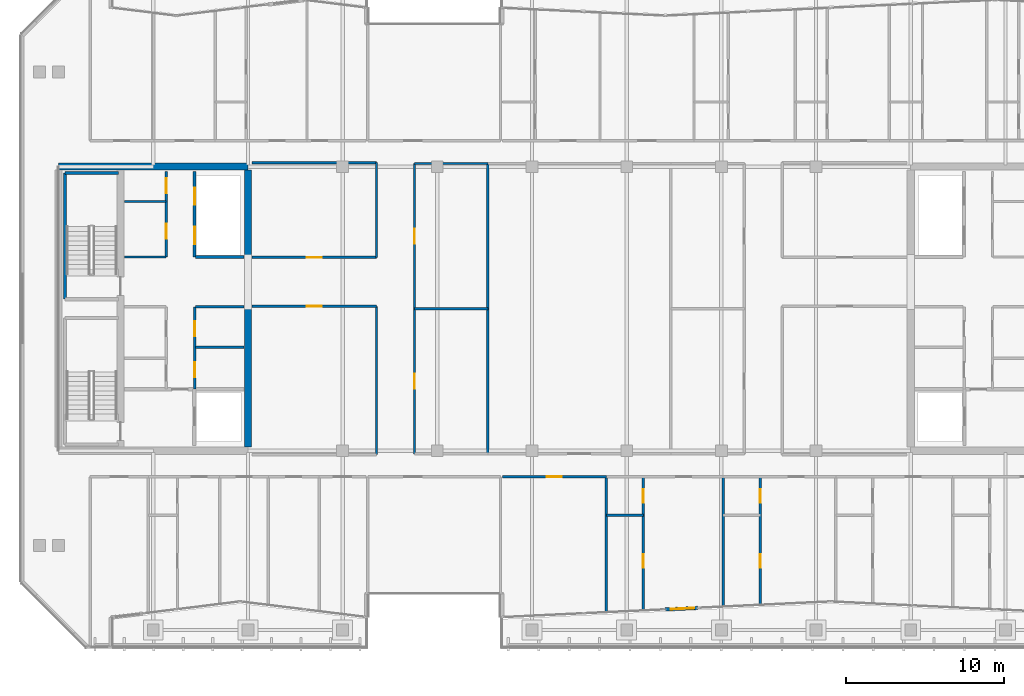
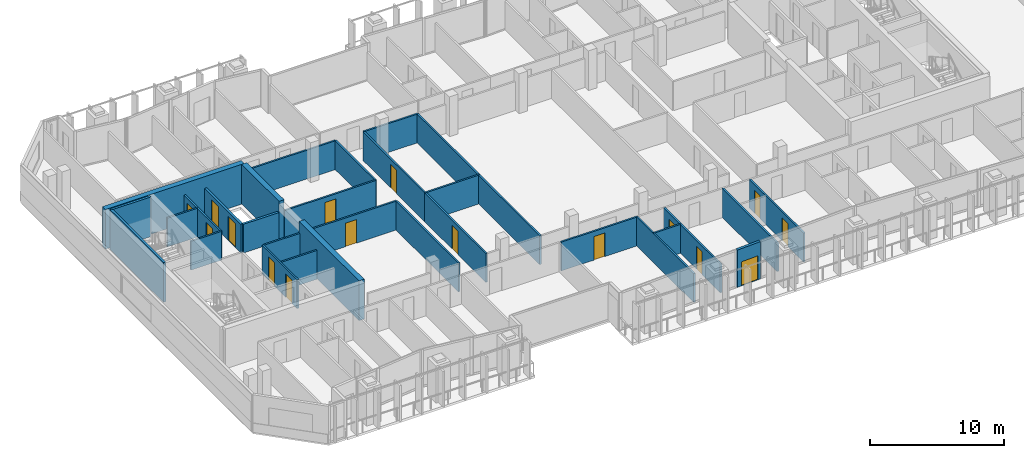
# One storey, part 21 of 31: 30 walls, 16 doors, 16 openings.
"""IFC4 building model written with IfcOpenShell, lengths in metres."""

from ifc_helpers import new_model, si_unit, direction, frame, frame_2d, origin, place, context, subcontext, project, spatial, rectangle, extrude, material, layer, layer_set, type_object, element, fill, save


model = new_model("IFC4")

# Units and contexts
model_context = context("Model", 3, precision=1e-05, world=origin(), true_north=direction((0.0, 1.0)))
body_context = subcontext(model_context, "Body", "Model", "MODEL_VIEW")
ifc_project = project(units=[si_unit("LENGTHUNIT", "METRE"), si_unit("AREAUNIT", "SQUARE_METRE"), si_unit("VOLUMEUNIT", "CUBIC_METRE"), si_unit("PLANEANGLEUNIT", "RADIAN"), si_unit("MASSUNIT", "GRAM", prefix="KILO")], contexts=[model_context])

# Site, building, storey
site_placement = place(None, origin())
site = spatial("IfcSite", under=ifc_project, at=site_placement, CompositionType="ELEMENT")
building_placement = place(site_placement, origin())
building = spatial("IfcBuilding", under=site, at=building_placement, Name="Tanjung Sevakor Pilgrim Tower", CompositionType="ELEMENT")
storey_placement = place(building_placement, frame((0.0, 0.0, 208.22998046875)))
storey = spatial("IfcBuildingStorey", under=building, at=storey_placement, Name="L58", CompositionType="ELEMENT", Elevation=208.22998046875)

# Walls
ifc_material_1 = material(Name="Concrete C60/75", Category="concrete")
ifc_layer_1 = layer(ifc_material_1, 0.449951171875)
ifc_layer_set_1 = layer_set([ifc_layer_1], Name="WALL-CW-450")
wall_type_1 = type_object("IfcWallType", Name="WALL-CW-450", PredefinedType="SHEAR", material=ifc_layer_set_1)
wall_1_placement = place(storey_placement, frame((36.0, 42.60009765625, 0.0), z_axis=(0.0, 0.0, 1.0), x_axis=(-1.0, 0.0, 0.0)))
element("IfcWall", 1, at=wall_1_placement, inside=storey, type_object=wall_type_1, Name="L58 W Core North Shear Wall", PredefinedType="SHEAR", context=body_context, shape_type="SweptSolid", body=[
    extrude(rectangle(XDim=12.0, YDim=0.449951171875, at=frame_2d((6.0, 0.0))), origin(), (0.0, 0.0, 1.0), 3.630126953125),
])
wall_2_placement = place(storey_placement, frame((36.0, 24.824951171875, 0.0), z_axis=(0.0, 0.0, 1.0), x_axis=(0.0, 1.0, 0.0)))
element("IfcWall", 2, at=wall_2_placement, inside=storey, type_object=wall_type_1, Name="L58 W Core Inner Shear Wall South", PredefinedType="SHEAR", context=body_context, shape_type="SweptSolid", body=[
    extrude(rectangle(XDim=8.97509765625, YDim=0.449951171875, at=frame_2d((4.487548828125, 0.0))), origin(), (0.0, 0.0, 1.0), 3.630126953125),
])
wall_3_placement = place(storey_placement, frame((36.0, 36.800048828125, 0.0), z_axis=(0.0, 0.0, 1.0), x_axis=(0.0, 1.0, 0.0)))
element("IfcWall", 3, at=wall_3_placement, inside=storey, type_object=wall_type_1, Name="L58 W Core Inner Shear Wall North", PredefinedType="SHEAR", context=body_context, shape_type="SweptSolid", body=[
    extrude(rectangle(XDim=5.574951171875, YDim=0.449951171875, at=frame_2d((2.78759765625, 0.0))), origin(), (0.0, 0.0, 1.0), 3.630126953125),
])
ifc_material_2 = material(Name="Concrete C40/50", Category="concrete")
ifc_layer_2 = layer(ifc_material_2, 0.14990234375)
ifc_layer_set_2 = layer_set([ifc_layer_2], Name="WT-COMP-150")
wall_type_2 = type_object("IfcWallType", Name="WT-COMP-150", PredefinedType="SOLIDWALL", material=ifc_layer_set_2)
for number, where, z_axis, x_axis, name in (
    (4, (32.679931640625, 31.14990234375, 0.0), (0.0, 0.0, 1.0), (1.0, 0.0, 0.0), "L58 Partition IW-L58-006"),
    (5, (32.679931640625, 33.719970703125, 0.0), (0.0, 0.0, 1.0), (1.0, 0.0, 0.0), "L58 Partition IW-L58-007"),
):
    element("IfcWall", number, at=place(storey_placement, frame(where, z_axis=z_axis, x_axis=x_axis)), inside=storey, type_object=wall_type_2, Name=name, PredefinedType="SOLIDWALL", context=body_context, shape_type="SweptSolid", body=[
        extrude(rectangle(XDim=3.074951171875, YDim=0.14990234375, at=frame_2d((1.53759765625, 0.0))), origin(), (0.0, 0.0, 1.0), 2.6298828125),
    ])

# Wall, openings, doors
wall_4_placement = place(storey_placement, frame((32.6201171875, 28.5, 0.0), z_axis=(0.0, 0.0, 1.0), x_axis=(0.0, 1.0, 0.0)))
wall_4 = element("IfcWall", 6, at=wall_4_placement, inside=storey, type_object=wall_type_2, Name="L58 Partition IW-L58-008", PredefinedType="SOLIDWALL", context=body_context, shape_type="SweptSolid", body=[
    extrude(rectangle(XDim=5.219970703125, YDim=0.14990234375, at=frame_2d((2.60986328125, 0.0))), origin(), (0.0, 0.0, 1.0), 2.6298828125),
])
opening_1_placement = place(wall_4_placement, frame((0.75, 0.0, 0.0)))
opening_1 = element("IfcOpeningElement", 7, at=opening_1_placement, cuts=wall_4, Name="Opening ID-FD2", PredefinedType="OPENING", context=body_context, shape_type="SweptSolid", body=[
    extrude(rectangle(XDim=0.949951171875, YDim=2.14990234375, at=frame_2d((0.47509765625, 1.074951171875))), frame((0.0, 0.0849609375, 0.0), z_axis=(0.0, -1.0, 0.0), x_axis=(1.0, 0.0, 0.0)), (0.0, 0.0, 1.0), 0.169921875),
])
opening_2_placement = place(wall_4_placement, frame((3.35009765625, 0.0, 0.0)))
opening_2 = element("IfcOpeningElement", 8, at=opening_2_placement, cuts=wall_4, Name="Opening ID-FD2", PredefinedType="OPENING", context=body_context, shape_type="SweptSolid", body=[
    extrude(rectangle(XDim=0.949951171875, YDim=2.14990234375, at=frame_2d((0.47509765625, 1.074951171875))), frame((0.0, 0.0849609375, 0.0), z_axis=(0.0, -1.0, 0.0), x_axis=(1.0, 0.0, 0.0)), (0.0, 0.0, 1.0), 0.169921875),
])
ifc_material_3 = material(Name="Fire-Rated Timber", Category="wood")
door_type_1 = type_object("IfcDoorType", Name="DT-FIRE-950", OperationType="NOTDEFINED", PredefinedType="DOOR", material=ifc_material_3)
door_1_placement = place(opening_1_placement, origin())
door_1 = element("IfcDoor", 9, at=door_1_placement, inside=storey, type_object=door_type_1, Name="L58 Accessible WC Door", OperationType="SINGLE_SWING_RIGHT", OverallHeight=2.14990234375, OverallWidth=0.949951171875, PredefinedType="DOOR", context=body_context, shape_type="SweptSolid", body=[
    extrude(rectangle(XDim=0.949951171875, YDim=2.14990234375, at=frame_2d((0.47509765625, 1.074951171875))), frame((0.0, 0.02490234375, 0.0), z_axis=(0.0, -1.0, 0.0), x_axis=(1.0, 0.0, 0.0)), (0.0, 0.0, 1.0), 0.050048828125),
])
fill(opening_1, door_1)
door_2_placement = place(opening_2_placement, origin())
door_2 = element("IfcDoor", 10, at=door_2_placement, inside=storey, type_object=door_type_1, Name="L58 Core Service Door", OperationType="SINGLE_SWING_LEFT", OverallHeight=2.14990234375, OverallWidth=0.949951171875, PredefinedType="DOOR", context=body_context, shape_type="SweptSolid", body=[
    extrude(rectangle(XDim=0.949951171875, YDim=2.14990234375, at=frame_2d((0.47509765625, 1.074951171875))), frame((0.0, 0.02490234375, 0.0), z_axis=(0.0, -1.0, 0.0), x_axis=(1.0, 0.0, 0.0)), (0.0, 0.0, 1.0), 0.050048828125),
])
fill(opening_2, door_2)

# Walls
for number, where, z_axis, x_axis, name in (
    (11, (28.169921875, 36.8798828125, 0.0), (0.0, 0.0, 1.0), (1.0, 0.0, 0.0), "L58 Partition IW-L58-009"),
    (12, (28.169921875, 40.389892578125, 0.0), (0.0, 0.0, 1.0), (1.0, 0.0, 0.0), "L58 Partition IW-L58-010"),
):
    element("IfcWall", number, at=place(storey_placement, frame(where, z_axis=z_axis, x_axis=x_axis)), inside=storey, type_object=wall_type_2, Name=name, PredefinedType="SOLIDWALL", context=body_context, shape_type="SweptSolid", body=[
        extrude(rectangle(XDim=2.630126953125, YDim=0.14990234375, at=frame_2d((1.31494140625, 0.0))), origin(), (0.0, 0.0, 1.0), 2.6298828125),
    ])

# Wall, openings, doors
wall_5_placement = place(storey_placement, frame((30.820068359375, 36.8798828125, 0.0), z_axis=(0.0, 0.0, 1.0), x_axis=(0.0, 1.0, 0.0)))
wall_5 = element("IfcWall", 13, at=wall_5_placement, inside=storey, type_object=wall_type_2, Name="L58 Partition IW-L58-011", PredefinedType="SOLIDWALL", context=body_context, shape_type="SweptSolid", body=[
    extrude(rectangle(XDim=5.420166015625, YDim=0.14990234375, at=frame_2d((2.7099609375, 0.0))), origin(), (0.0, 0.0, 1.0), 2.6298828125),
])
opening_3_placement = place(wall_5_placement, frame((1.14990234375, 0.0, 0.0)))
opening_3 = element("IfcOpeningElement", 14, at=opening_3_placement, cuts=wall_5, Name="Opening ID-FD2", PredefinedType="OPENING", context=body_context, shape_type="SweptSolid", body=[
    extrude(rectangle(XDim=0.949951171875, YDim=2.14990234375, at=frame_2d((0.47509765625, 1.074951171875))), frame((0.0, 0.0849609375, 0.0), z_axis=(0.0, -1.0, 0.0), x_axis=(1.0, 0.0, 0.0)), (0.0, 0.0, 1.0), 0.169921875),
])
opening_4_placement = place(wall_5_placement, frame((4.050048828125, 0.0, 0.0)))
opening_4 = element("IfcOpeningElement", 15, at=opening_4_placement, cuts=wall_5, Name="Opening ID-FD2", PredefinedType="OPENING", context=body_context, shape_type="SweptSolid", body=[
    extrude(rectangle(XDim=0.949951171875, YDim=2.14990234375, at=frame_2d((0.47509765625, 1.074951171875))), frame((0.0, 0.0849609375, 0.0), z_axis=(0.0, -1.0, 0.0), x_axis=(1.0, 0.0, 0.0)), (0.0, 0.0, 1.0), 0.169921875),
])
door_3_placement = place(opening_3_placement, origin())
door_3 = element("IfcDoor", 16, at=door_3_placement, inside=storey, type_object=door_type_1, Name="L58 Core Study Room Door", OperationType="SINGLE_SWING_RIGHT", OverallHeight=2.14990234375, OverallWidth=0.949951171875, PredefinedType="DOOR", context=body_context, shape_type="SweptSolid", body=[
    extrude(rectangle(XDim=0.949951171875, YDim=2.14990234375, at=frame_2d((0.47509765625, 1.074951171875))), frame((0.0, 0.02490234375, 0.0), z_axis=(0.0, -1.0, 0.0), x_axis=(1.0, 0.0, 0.0)), (0.0, 0.0, 1.0), 0.050048828125),
])
fill(opening_3, door_3)
door_4_placement = place(opening_4_placement, origin())
door_4 = element("IfcDoor", 17, at=door_4_placement, inside=storey, type_object=door_type_1, Name="L58 Service Store Door", OperationType="SINGLE_SWING_LEFT", OverallHeight=2.14990234375, OverallWidth=0.949951171875, PredefinedType="DOOR", context=body_context, shape_type="SweptSolid", body=[
    extrude(rectangle(XDim=0.949951171875, YDim=2.14990234375, at=frame_2d((0.47509765625, 1.074951171875))), frame((0.0, 0.02490234375, 0.0), z_axis=(0.0, -1.0, 0.0), x_axis=(1.0, 0.0, 0.0)), (0.0, 0.0, 1.0), 0.050048828125),
])
fill(opening_4, door_4)

# Wall, opening, door
wall_6_placement = place(storey_placement, frame((36.2451171875, 33.75, 0.0), z_axis=(0.0, 0.0, 1.0), x_axis=(1.0, 0.0, 0.0)))
wall_6 = element("IfcWall", 18, at=wall_6_placement, inside=storey, type_object=wall_type_2, Name="L58 Partition IW-L58-028", PredefinedType="SOLIDWALL", context=body_context, shape_type="SweptSolid", body=[
    extrude(rectangle(XDim=7.90478515625, YDim=0.14990234375, at=frame_2d((3.952392578125, 0.0))), origin(), (0.0, 0.0, 1.0), 2.6298828125),
])
opening_5_placement = place(wall_6_placement, frame((3.4775390625, 0.0, 0.0)))
opening_5 = element("IfcOpeningElement", 19, at=opening_5_placement, cuts=wall_6, Name="Opening ID-RM1", PredefinedType="OPENING", context=body_context, shape_type="SweptSolid", body=[
    extrude(rectangle(XDim=0.949951171875, YDim=2.14990234375, at=frame_2d((0.47509765625, 1.074951171875))), frame((0.0, 0.0849609375, 0.0), z_axis=(0.0, -1.0, 0.0), x_axis=(1.0, 0.0, 0.0)), (0.0, 0.0, 1.0), 0.169921875),
])
ifc_material_4 = material(Name="Hardwood Timber", Category="wood")
door_type_2 = type_object("IfcDoorType", Name="DT-INT-950", OperationType="NOTDEFINED", PredefinedType="DOOR", material=ifc_material_4)
door_5_placement = place(opening_5_placement, origin())
door_5 = element("IfcDoor", 20, at=door_5_placement, inside=storey, type_object=door_type_2, Name="L58 West Inboard South Door", OperationType="SINGLE_SWING_RIGHT", OverallHeight=2.14990234375, OverallWidth=0.949951171875, PredefinedType="DOOR", context=body_context, shape_type="SweptSolid", body=[
    extrude(rectangle(XDim=0.949951171875, YDim=2.14990234375, at=frame_2d((0.47509765625, 1.074951171875))), frame((0.0, 0.02490234375, 0.0), z_axis=(0.0, -1.0, 0.0), x_axis=(1.0, 0.0, 0.0)), (0.0, 0.0, 1.0), 0.050048828125),
])
fill(opening_5, door_5)

# Wall
wall_7_placement = place(storey_placement, frame((44.14990234375, 24.35009765625, 0.0), z_axis=(0.0, 0.0, 1.0), x_axis=(0.0, 1.0, 0.0)))
element("IfcWall", 21, at=wall_7_placement, inside=storey, type_object=wall_type_2, Name="L58 Partition IW-L58-029", PredefinedType="SOLIDWALL", context=body_context, shape_type="SweptSolid", body=[
    extrude(rectangle(XDim=9.39990234375, YDim=0.14990234375, at=frame_2d((4.699951171875, 0.0))), origin(), (0.0, 0.0, 1.0), 2.6298828125),
])

# Wall, opening, door
wall_8_placement = place(storey_placement, frame((36.2451171875, 36.85009765625, 0.0), z_axis=(0.0, 0.0, 1.0), x_axis=(1.0, 0.0, 0.0)))
wall_8 = element("IfcWall", 22, at=wall_8_placement, inside=storey, type_object=wall_type_2, Name="L58 Partition IW-L58-030", PredefinedType="SOLIDWALL", context=body_context, shape_type="SweptSolid", body=[
    extrude(rectangle(XDim=7.90478515625, YDim=0.14990234375, at=frame_2d((3.952392578125, 0.0))), origin(), (0.0, 0.0, 1.0), 2.6298828125),
])
opening_6_placement = place(wall_8_placement, frame((3.4775390625, 0.0, 0.0)))
opening_6 = element("IfcOpeningElement", 23, at=opening_6_placement, cuts=wall_8, Name="Opening ID-RM1", PredefinedType="OPENING", context=body_context, shape_type="SweptSolid", body=[
    extrude(rectangle(XDim=0.949951171875, YDim=2.14990234375, at=frame_2d((0.47509765625, 1.074951171875))), frame((0.0, 0.0849609375, 0.0), z_axis=(0.0, -1.0, 0.0), x_axis=(1.0, 0.0, 0.0)), (0.0, 0.0, 1.0), 0.169921875),
])
door_6_placement = place(opening_6_placement, origin())
door_6 = element("IfcDoor", 24, at=door_6_placement, inside=storey, type_object=door_type_2, Name="L58 West Inboard North Door", OperationType="SINGLE_SWING_LEFT", OverallHeight=2.14990234375, OverallWidth=0.949951171875, PredefinedType="DOOR", context=body_context, shape_type="SweptSolid", body=[
    extrude(rectangle(XDim=0.949951171875, YDim=2.14990234375, at=frame_2d((0.47509765625, 1.074951171875))), frame((0.0, 0.02490234375, 0.0), z_axis=(0.0, -1.0, 0.0), x_axis=(1.0, 0.0, 0.0)), (0.0, 0.0, 1.0), 0.050048828125),
])
fill(opening_6, door_6)

# Walls
wall_9_placement = place(storey_placement, frame((36.2451171875, 42.85009765625, 0.0), z_axis=(0.0, 0.0, 1.0), x_axis=(1.0, 0.0, 0.0)))
element("IfcWall", 25, at=wall_9_placement, inside=storey, type_object=wall_type_2, Name="L58 Partition IW-L58-031", PredefinedType="SOLIDWALL", context=body_context, shape_type="SweptSolid", body=[
    extrude(rectangle(XDim=7.90478515625, YDim=0.14990234375, at=frame_2d((3.952392578125, 0.0))), origin(), (0.0, 0.0, 1.0), 2.6298828125),
])
wall_10_placement = place(storey_placement, frame((44.14990234375, 36.85009765625, 0.0), z_axis=(0.0, 0.0, 1.0), x_axis=(0.0, 1.0, 0.0)))
element("IfcWall", 26, at=wall_10_placement, inside=storey, type_object=wall_type_2, Name="L58 Partition IW-L58-032", PredefinedType="SOLIDWALL", context=body_context, shape_type="SweptSolid", body=[
    extrude(rectangle(XDim=6.0, YDim=0.14990234375, at=frame_2d((3.0, 0.0))), origin(), (0.0, 0.0, 1.0), 2.6298828125),
])
wall_11_placement = place(storey_placement, frame((46.550048828125, 33.60009765625, 0.0), z_axis=(0.0, 0.0, 1.0), x_axis=(1.0, 0.0, 0.0)))
element("IfcWall", 27, at=wall_11_placement, inside=storey, type_object=wall_type_2, Name="L58 Partition IW-L58-040", PredefinedType="SOLIDWALL", context=body_context, shape_type="SweptSolid", body=[
    extrude(rectangle(XDim=4.64990234375, YDim=0.14990234375, at=frame_2d((2.324951171875, 0.0))), origin(), (0.0, 0.0, 1.0), 2.6298828125),
])

# Wall, opening, door
wall_12_placement = place(storey_placement, frame((46.550048828125, 24.39990234375, 0.0), z_axis=(0.0, 0.0, 1.0), x_axis=(0.0, 1.0, 0.0)))
wall_12 = element("IfcWall", 28, at=wall_12_placement, inside=storey, type_object=wall_type_2, Name="L58 Partition IW-L58-041", PredefinedType="SOLIDWALL", context=body_context, shape_type="SweptSolid", body=[
    extrude(rectangle(XDim=9.2001953125, YDim=0.14990234375, at=frame_2d((4.60009765625, 0.0))), origin(), (0.0, 0.0, 1.0), 2.6298828125),
])
opening_7_placement = place(wall_12_placement, frame((4.125, 0.0, 0.0)))
opening_7 = element("IfcOpeningElement", 29, at=opening_7_placement, cuts=wall_12, Name="Opening ID-RM1", PredefinedType="OPENING", context=body_context, shape_type="SweptSolid", body=[
    extrude(rectangle(XDim=0.949951171875, YDim=2.14990234375, at=frame_2d((0.47509765625, 1.074951171875))), frame((0.0, 0.0849609375, 0.0), z_axis=(0.0, -1.0, 0.0), x_axis=(1.0, 0.0, 0.0)), (0.0, 0.0, 1.0), 0.169921875),
])
door_7_placement = place(opening_7_placement, origin())
door_7 = element("IfcDoor", 30, at=door_7_placement, inside=storey, type_object=door_type_2, Name="L58 Male Ablution Door", OperationType="SINGLE_SWING_RIGHT", OverallHeight=2.14990234375, OverallWidth=0.949951171875, PredefinedType="DOOR", context=body_context, shape_type="SweptSolid", body=[
    extrude(rectangle(XDim=0.949951171875, YDim=2.14990234375, at=frame_2d((0.47509765625, 1.074951171875))), frame((0.0, 0.02490234375, 0.0), z_axis=(0.0, -1.0, 0.0), x_axis=(1.0, 0.0, 0.0)), (0.0, 0.0, 1.0), 0.050048828125),
])
fill(opening_7, door_7)

# Wall
wall_13_placement = place(storey_placement, frame((46.550048828125, 42.800048828125, 0.0), z_axis=(0.0, 0.0, 1.0), x_axis=(1.0, 0.0, 0.0)))
element("IfcWall", 31, at=wall_13_placement, inside=storey, type_object=wall_type_2, Name="L58 Partition IW-L58-042", PredefinedType="SOLIDWALL", context=body_context, shape_type="SweptSolid", body=[
    extrude(rectangle(XDim=4.64990234375, YDim=0.14990234375, at=frame_2d((2.324951171875, 0.0))), origin(), (0.0, 0.0, 1.0), 2.6298828125),
])

# Wall, opening, door
wall_14_placement = place(storey_placement, frame((46.550048828125, 33.60009765625, 0.0), z_axis=(0.0, 0.0, 1.0), x_axis=(0.0, 1.0, 0.0)))
wall_14 = element("IfcWall", 32, at=wall_14_placement, inside=storey, type_object=wall_type_2, Name="L58 Partition IW-L58-043", PredefinedType="SOLIDWALL", context=body_context, shape_type="SweptSolid", body=[
    extrude(rectangle(XDim=9.199951171875, YDim=0.14990234375, at=frame_2d((4.60009765625, 0.0))), origin(), (0.0, 0.0, 1.0), 2.6298828125),
])
opening_8_placement = place(wall_14_placement, frame((4.125, 0.0, 0.0)))
opening_8 = element("IfcOpeningElement", 33, at=opening_8_placement, cuts=wall_14, Name="Opening ID-RM1", PredefinedType="OPENING", context=body_context, shape_type="SweptSolid", body=[
    extrude(rectangle(XDim=0.949951171875, YDim=2.14990234375, at=frame_2d((0.47509765625, 1.074951171875))), frame((0.0, 0.0849609375, 0.0), z_axis=(0.0, -1.0, 0.0), x_axis=(1.0, 0.0, 0.0)), (0.0, 0.0, 1.0), 0.169921875),
])
door_8_placement = place(opening_8_placement, origin())
door_8 = element("IfcDoor", 34, at=door_8_placement, inside=storey, type_object=door_type_2, Name="L58 Male Washroom Door", OperationType="SINGLE_SWING_LEFT", OverallHeight=2.14990234375, OverallWidth=0.949951171875, PredefinedType="DOOR", context=body_context, shape_type="SweptSolid", body=[
    extrude(rectangle(XDim=0.949951171875, YDim=2.14990234375, at=frame_2d((0.47509765625, 1.074951171875))), frame((0.0, 0.02490234375, 0.0), z_axis=(0.0, -1.0, 0.0), x_axis=(1.0, 0.0, 0.0)), (0.0, 0.0, 1.0), 0.050048828125),
])
fill(opening_8, door_8)

# Walls
wall_15_placement = place(storey_placement, frame((51.199951171875, 24.39990234375, 0.0), z_axis=(0.0, 0.0, 1.0), x_axis=(0.0, 1.0, 0.0)))
element("IfcWall", 35, at=wall_15_placement, inside=storey, type_object=wall_type_2, Name="L58 Partition IW-L58-046", PredefinedType="SOLIDWALL", context=body_context, shape_type="SweptSolid", body=[
    extrude(rectangle(XDim=18.400146484375, YDim=0.14990234375, at=frame_2d((9.2001953125, 0.0))), origin(), (0.0, 0.0, 1.0), 2.6298828125),
])
wall_16_placement = place(storey_placement, frame((58.70556640625, 14.361083984375, 0.0), z_axis=(0.0, 0.0, 1.0), x_axis=(0.0, 1.0, 0.0)))
element("IfcWall", 36, at=wall_16_placement, inside=storey, type_object=wall_type_2, Name="L58 Partition IW-L58-072", PredefinedType="SOLIDWALL", context=body_context, shape_type="SweptSolid", body=[
    extrude(rectangle(XDim=8.5888671875, YDim=0.14990234375, at=frame_2d((4.29443359375, 0.0))), origin(), (0.0, 0.0, 1.0), 2.6298828125),
])

# Wall, opening, door
wall_17_placement = place(storey_placement, frame((52.1201171875, 22.949951171875, 0.0), z_axis=(0.0, 0.0, 1.0), x_axis=(1.0, 0.0, 0.0)))
wall_17 = element("IfcWall", 37, at=wall_17_placement, inside=storey, type_object=wall_type_2, Name="L58 Partition IW-L58-073", PredefinedType="SOLIDWALL", context=body_context, shape_type="SweptSolid", body=[
    extrude(rectangle(XDim=6.58544921875, YDim=0.14990234375, at=frame_2d((3.292724609375, 0.0))), origin(), (0.0, 0.0, 1.0), 2.6298828125),
])
opening_9_placement = place(wall_17_placement, frame((2.81787109375, 0.0, 0.0)))
opening_9 = element("IfcOpeningElement", 38, at=opening_9_placement, cuts=wall_17, Name="Opening ID-FD2", PredefinedType="OPENING", context=body_context, shape_type="SweptSolid", body=[
    extrude(rectangle(XDim=0.949951171875, YDim=2.14990234375, at=frame_2d((0.47509765625, 1.074951171875))), frame((0.0, 0.0849609375, 0.0), z_axis=(0.0, -1.0, 0.0), x_axis=(1.0, 0.0, 0.0)), (0.0, 0.0, 1.0), 0.169921875),
])
door_9_placement = place(opening_9_placement, origin())
door_9 = element("IfcDoor", 39, at=door_9_placement, inside=storey, type_object=door_type_1, Name="Housekeeping Pantry Door", OperationType="SINGLE_SWING_RIGHT", OverallHeight=2.14990234375, OverallWidth=0.949951171875, PredefinedType="DOOR", context=body_context, shape_type="SweptSolid", body=[
    extrude(rectangle(XDim=0.949951171875, YDim=2.14990234375, at=frame_2d((0.47509765625, 1.074951171875))), frame((0.0, 0.02490234375, 0.0), z_axis=(0.0, -1.0, 0.0), x_axis=(1.0, 0.0, 0.0)), (0.0, 0.0, 1.0), 0.050048828125),
])
fill(opening_9, door_9)

# Wall
wall_18_placement = place(storey_placement, frame((66.1142578125, 14.715576171875, 0.0), z_axis=(0.0, 0.0, 1.0), x_axis=(0.0, 1.0, 0.0)))
element("IfcWall", 40, at=wall_18_placement, inside=storey, type_object=wall_type_2, Name="L58 Partition IW-L58-074", PredefinedType="SOLIDWALL", context=body_context, shape_type="SweptSolid", body=[
    extrude(rectangle(XDim=8.234375, YDim=0.14990234375, at=frame_2d((4.1171875, 0.0))), origin(), (0.0, 0.0, 1.0), 2.6298828125),
])

# Wall, opening, door
ifc_material_5 = material(Name="Precast concrete C45/55", Category="concrete")
ifc_layer_3 = layer(ifc_material_5, 0.219970703125)
ifc_layer_set_3 = layer_set([ifc_layer_3], Name="WT-EW-STN4")
wall_type_3 = type_object("IfcWallType", Name="WT-EW-STN4", PredefinedType="SOLIDWALL", material=ifc_layer_set_3)
wall_19_placement = place(storey_placement, frame((62.444580078125, 14.539794921875, 0.0), z_axis=(0.0, 0.0, 1.0), x_axis=(0.998858733476, 0.047762229425, 0.0)))
wall_19 = element("IfcWall", 41, at=wall_19_placement, inside=storey, type_object=wall_type_3, Name="L58 S-Curve Terrace Threshold Wall 10", PredefinedType="SOLIDWALL", context=body_context, shape_type="SweptSolid", body=[
    extrude(rectangle(XDim=2.06005859375, YDim=0.219970703125, at=frame_2d((1.030029296875, 0.0))), origin(), (0.0, 0.0, 1.0), 3.409912109375),
])
opening_10_placement = place(wall_19_placement, frame((0.35009765625, 0.0, 0.0)))
opening_10 = element("IfcOpeningElement", 42, at=opening_10_placement, cuts=wall_19, Name="Opening ED-TER-1500", PredefinedType="OPENING", context=body_context, shape_type="SweptSolid", body=[
    extrude(rectangle(XDim=1.5, YDim=2.199951171875, at=frame_2d((0.75, 1.10009765625))), frame((0.0, 0.119873046875, 0.0), z_axis=(0.0, -1.0, 0.0), x_axis=(1.0, 0.0, 0.0)), (0.0, 0.0, 1.0), 0.239990234375),
])
ifc_material_6 = material(Name="Anodised Aluminium and Laminated Glass", Category="aluminium")
door_type_3 = type_object("IfcDoorType", Name="DTYP-ED-TER-1500", OperationType="DOUBLE_DOOR_SINGLE_SWING", PredefinedType="DOOR", material=ifc_material_6)
door_10_placement = place(opening_10_placement, frame((1.5, 0.0, 0.0), z_axis=(0.0, 0.0, 1.0), x_axis=(-1.0, 0.0, 0.0)))
door_10 = element("IfcDoor", 43, at=door_10_placement, inside=storey, type_object=door_type_3, Name="L58 S-Curve Terrace Access Door 10", OperationType="SINGLE_SWING_RIGHT", OverallHeight=2.199951171875, OverallWidth=1.5, PredefinedType="DOOR", context=body_context, shape_type="SweptSolid", body=[
    extrude(rectangle(XDim=1.5, YDim=2.199951171875, at=frame_2d((0.75, 1.10009765625))), frame((0.0, 0.02490234375, 0.0), z_axis=(0.0, -1.0, 0.0), x_axis=(1.0, 0.0, 0.0)), (0.0, 0.0, 1.0), 0.050048828125),
])
fill(opening_10, door_10)

# Walls
ifc_material_7 = material(Name="Concrete C40/50", Category="concrete")
ifc_layer_4 = layer(ifc_material_7, 0.199951171875)
ifc_layer_set_4 = layer_set([ifc_layer_4], Name="WT-FIRE-200")
wall_type_4 = type_object("IfcWallType", Name="WT-FIRE-200", PredefinedType="SOLIDWALL", material=ifc_layer_set_4)
wall_20_placement = place(storey_placement, frame((27.800048828125, 42.199951171875, 0.0), z_axis=(0.0, 0.0, 1.0), x_axis=(-1.0, 0.0, 0.0)))
element("IfcWall", 44, at=wall_20_placement, inside=storey, type_object=wall_type_4, Name="L58 TS-W2 Shaft Wall 2", PredefinedType="SOLIDWALL", context=body_context, shape_type="SweptSolid", body=[
    extrude(rectangle(XDim=3.400146484375, YDim=0.199951171875, at=frame_2d((1.7001953125, 0.0))), origin(), (0.0, 0.0, 1.0), 3.630126953125),
])
wall_21_placement = place(storey_placement, frame((24.39990234375, 42.199951171875, 0.0), z_axis=(0.0, 0.0, 1.0), x_axis=(0.0, -1.0, 0.0)))
element("IfcWall", 45, at=wall_21_placement, inside=storey, type_object=wall_type_4, Name="L58 TS-W2 Shaft Wall 3", PredefinedType="SOLIDWALL", context=body_context, shape_type="SweptSolid", body=[
    extrude(rectangle(XDim=8.0, YDim=0.199951171875, at=frame_2d((4.0, 0.0))), origin(), (0.0, 0.0, 1.0), 3.630126953125),
])
ifc_material_8 = material(Name="Concrete C40/50", Category="concrete")
ifc_layer_5 = layer(ifc_material_8, 0.199951171875)
ifc_layer_set_5 = layer_set([ifc_layer_5], Name="WT-FPRT-200")
wall_type_5 = type_object("IfcWallType", Name="WT-FPRT-200", PredefinedType="SOLIDWALL", material=ifc_layer_set_5)
wall_22_placement = place(storey_placement, frame((32.679931640625, 36.8798828125, 0.0), z_axis=(0.0, 0.0, 1.0), x_axis=(1.0, 0.0, 0.0)))
element("IfcWall", 46, at=wall_22_placement, inside=storey, type_object=wall_type_5, Name="L58 Partition IW-L58-012", PredefinedType="SOLIDWALL", context=body_context, shape_type="SweptSolid", body=[
    extrude(rectangle(XDim=3.074951171875, YDim=0.199951171875, at=frame_2d((1.53759765625, 0.0))), origin(), (0.0, 0.0, 1.0), 2.6298828125),
])

# Wall, openings, doors
wall_23_placement = place(storey_placement, frame((32.6201171875, 36.8798828125, 0.0), z_axis=(0.0, 0.0, 1.0), x_axis=(0.0, 1.0, 0.0)))
wall_23 = element("IfcWall", 47, at=wall_23_placement, inside=storey, type_object=wall_type_5, Name="L58 Partition IW-L58-013", PredefinedType="SOLIDWALL", context=body_context, shape_type="SweptSolid", body=[
    extrude(rectangle(XDim=5.420166015625, YDim=0.199951171875, at=frame_2d((2.7099609375, 0.0))), origin(), (0.0, 0.0, 1.0), 2.6298828125),
])
opening_11_placement = place(wall_23_placement, frame((0.800048828125, 0.0, 0.0)))
opening_11 = element("IfcOpeningElement", 48, at=opening_11_placement, cuts=wall_23, Name="Opening LD-1100", PredefinedType="OPENING", context=body_context, shape_type="SweptSolid", body=[
    extrude(rectangle(XDim=1.10009765625, YDim=2.199951171875, at=frame_2d((0.550048828125, 1.10009765625))), frame((0.0, 0.10986328125, 0.0), z_axis=(0.0, -1.0, 0.0), x_axis=(1.0, 0.0, 0.0)), (0.0, 0.0, 1.0), 0.219970703125),
])
opening_12_placement = place(wall_23_placement, frame((3.300048828125, 0.0, 0.0)))
opening_12 = element("IfcOpeningElement", 49, at=opening_12_placement, cuts=wall_23, Name="Opening LD-1100", PredefinedType="OPENING", context=body_context, shape_type="SweptSolid", body=[
    extrude(rectangle(XDim=1.10009765625, YDim=2.199951171875, at=frame_2d((0.550048828125, 1.10009765625))), frame((0.0, 0.10986328125, 0.0), z_axis=(0.0, -1.0, 0.0), x_axis=(1.0, 0.0, 0.0)), (0.0, 0.0, 1.0), 0.219970703125),
])
ifc_material_9 = material(Name="Brushed Stainless Steel S355J2", Category="steel")
door_type_4 = type_object("IfcDoorType", Name="DT-LIFT-1100", OperationType="SLIDING_TO_LEFT", PredefinedType="DOOR", material=ifc_material_9)
door_11_placement = place(opening_11_placement, origin())
door_11 = element("IfcDoor", 50, at=door_11_placement, inside=storey, type_object=door_type_4, Name="LD-PLH1-W", OperationType="SLIDING_TO_LEFT", OverallHeight=2.199951171875, OverallWidth=1.10009765625, PredefinedType="DOOR", context=body_context, shape_type="SweptSolid", body=[
    extrude(rectangle(XDim=1.10009765625, YDim=2.199951171875, at=frame_2d((0.550048828125, 1.10009765625))), frame((0.0, 0.02490234375, 0.0), z_axis=(0.0, -1.0, 0.0), x_axis=(1.0, 0.0, 0.0)), (0.0, 0.0, 1.0), 0.050048828125),
])
fill(opening_11, door_11)
door_12_placement = place(opening_12_placement, origin())
door_12 = element("IfcDoor", 51, at=door_12_placement, inside=storey, type_object=door_type_4, Name="LD-PLH2-W", OperationType="SLIDING_TO_RIGHT", OverallHeight=2.199951171875, OverallWidth=1.10009765625, PredefinedType="DOOR", context=body_context, shape_type="SweptSolid", body=[
    extrude(rectangle(XDim=1.10009765625, YDim=2.199951171875, at=frame_2d((0.550048828125, 1.10009765625))), frame((0.0, 0.02490234375, 0.0), z_axis=(0.0, -1.0, 0.0), x_axis=(1.0, 0.0, 0.0)), (0.0, 0.0, 1.0), 0.050048828125),
])
fill(opening_12, door_12)

# Wall
ifc_material_10 = material(Name="Gypsum Board Partition", Category="gypsum board")
ifc_layer_6 = layer(ifc_material_10, 0.14990234375)
ifc_layer_set_6 = layer_set([ifc_layer_6], Name="WT-PART-150")
wall_type_6 = type_object("IfcWallType", Name="WT-PART-150", PredefinedType="PARTITIONING", material=ifc_layer_set_6)
wall_24_placement = place(storey_placement, frame((58.70556640625, 20.5, 0.0), z_axis=(0.0, 0.0, 1.0), x_axis=(1.0, 0.0, 0.0)))
element("IfcWall", 52, at=wall_24_placement, inside=storey, type_object=wall_type_6, Name="L58 Partition IW-L58-075", PredefinedType="PARTITIONING", context=body_context, shape_type="SweptSolid", body=[
    extrude(rectangle(XDim=2.349853515625, YDim=0.14990234375, at=frame_2d((1.1748046875, 0.0))), origin(), (0.0, 0.0, 1.0), 2.6298828125),
])

# Wall, openings, doors
wall_25_placement = place(storey_placement, frame((61.055419921875, 14.473388671875, 0.0), z_axis=(0.0, 0.0, 1.0), x_axis=(0.0, 1.0, 0.0)))
wall_25 = element("IfcWall", 53, at=wall_25_placement, inside=storey, type_object=wall_type_6, Name="L58 Partition IW-L58-076", PredefinedType="PARTITIONING", context=body_context, shape_type="SweptSolid", body=[
    extrude(rectangle(XDim=8.4765625, YDim=0.14990234375, at=frame_2d((4.23828125, 0.0))), origin(), (0.0, 0.0, 1.0), 2.6298828125),
])
opening_13_placement = place(wall_25_placement, frame((2.70654296875, 0.0, 0.0)))
opening_13 = element("IfcOpeningElement", 54, at=opening_13_placement, cuts=wall_25, Name="Opening ID-WC1", PredefinedType="OPENING", context=body_context, shape_type="SweptSolid", body=[
    extrude(rectangle(XDim=0.85009765625, YDim=2.10009765625, at=frame_2d((0.425048828125, 1.050048828125))), frame((0.0, 0.0849609375, 0.0), z_axis=(0.0, -1.0, 0.0), x_axis=(1.0, 0.0, 0.0)), (0.0, 0.0, 1.0), 0.169921875),
])
opening_14_placement = place(wall_25_placement, frame((6.82666015625, 0.0, 0.0)))
opening_14 = element("IfcOpeningElement", 55, at=opening_14_placement, cuts=wall_25, Name="Opening ID-WC1", PredefinedType="OPENING", context=body_context, shape_type="SweptSolid", body=[
    extrude(rectangle(XDim=0.85009765625, YDim=2.10009765625, at=frame_2d((0.425048828125, 1.050048828125))), frame((0.0, 0.0849609375, 0.0), z_axis=(0.0, -1.0, 0.0), x_axis=(1.0, 0.0, 0.0)), (0.0, 0.0, 1.0), 0.169921875),
])
ifc_material_11 = material(Name="Moisture-Resistant Timber", Category="wood")
door_type_5 = type_object("IfcDoorType", Name="DT-INT-850", OperationType="NOTDEFINED", PredefinedType="DOOR", material=ifc_material_11)
door_13_placement = place(opening_13_placement, origin())
door_13 = element("IfcDoor", 56, at=door_13_placement, inside=storey, type_object=door_type_5, Name="Study Nook Door", OperationType="SINGLE_SWING_LEFT", OverallHeight=2.10009765625, OverallWidth=0.85009765625, PredefinedType="DOOR", context=body_context, shape_type="SweptSolid", body=[
    extrude(rectangle(XDim=0.85009765625, YDim=2.10009765625, at=frame_2d((0.425048828125, 1.050048828125))), frame((0.0, 0.02490234375, 0.0), z_axis=(0.0, -1.0, 0.0), x_axis=(1.0, 0.0, 0.0)), (0.0, 0.0, 1.0), 0.050048828125),
])
fill(opening_13, door_13)
door_14_placement = place(opening_14_placement, origin())
door_14 = element("IfcDoor", 57, at=door_14_placement, inside=storey, type_object=door_type_5, Name="Bathroom Door", OperationType="SINGLE_SWING_RIGHT", OverallHeight=2.10009765625, OverallWidth=0.85009765625, PredefinedType="DOOR", context=body_context, shape_type="SweptSolid", body=[
    extrude(rectangle(XDim=0.85009765625, YDim=2.10009765625, at=frame_2d((0.425048828125, 1.050048828125))), frame((0.0, 0.02490234375, 0.0), z_axis=(0.0, -1.0, 0.0), x_axis=(1.0, 0.0, 0.0)), (0.0, 0.0, 1.0), 0.050048828125),
])
fill(opening_14, door_14)

wall_26_placement = place(storey_placement, frame((68.464111328125, 14.827880859375, 0.0), z_axis=(0.0, 0.0, 1.0), x_axis=(0.0, 1.0, 0.0)))
wall_26 = element("IfcWall", 58, at=wall_26_placement, inside=storey, type_object=wall_type_6, Name="L58 Partition IW-L58-080", PredefinedType="PARTITIONING", context=body_context, shape_type="SweptSolid", body=[
    extrude(rectangle(XDim=8.1220703125, YDim=0.14990234375, at=frame_2d((4.06103515625, 0.0))), origin(), (0.0, 0.0, 1.0), 2.6298828125),
])
opening_15_placement = place(wall_26_placement, frame((2.35205078125, 0.0, 0.0)))
opening_15 = element("IfcOpeningElement", 59, at=opening_15_placement, cuts=wall_26, Name="Opening ID-WC1", PredefinedType="OPENING", context=body_context, shape_type="SweptSolid", body=[
    extrude(rectangle(XDim=0.85009765625, YDim=2.10009765625, at=frame_2d((0.425048828125, 1.050048828125))), frame((0.0, 0.0849609375, 0.0), z_axis=(0.0, -1.0, 0.0), x_axis=(1.0, 0.0, 0.0)), (0.0, 0.0, 1.0), 0.169921875),
])
opening_16_placement = place(wall_26_placement, frame((6.47216796875, 0.0, 0.0)))
opening_16 = element("IfcOpeningElement", 60, at=opening_16_placement, cuts=wall_26, Name="Opening ID-WC1", PredefinedType="OPENING", context=body_context, shape_type="SweptSolid", body=[
    extrude(rectangle(XDim=0.85009765625, YDim=2.10009765625, at=frame_2d((0.425048828125, 1.050048828125))), frame((0.0, 0.0849609375, 0.0), z_axis=(0.0, -1.0, 0.0), x_axis=(1.0, 0.0, 0.0)), (0.0, 0.0, 1.0), 0.169921875),
])
door_15_placement = place(opening_15_placement, origin())
door_15 = element("IfcDoor", 61, at=door_15_placement, inside=storey, type_object=door_type_5, Name="Study Nook Door", OperationType="SINGLE_SWING_RIGHT", OverallHeight=2.10009765625, OverallWidth=0.85009765625, PredefinedType="DOOR", context=body_context, shape_type="SweptSolid", body=[
    extrude(rectangle(XDim=0.85009765625, YDim=2.10009765625, at=frame_2d((0.425048828125, 1.050048828125))), frame((0.0, 0.02490234375, 0.0), z_axis=(0.0, -1.0, 0.0), x_axis=(1.0, 0.0, 0.0)), (0.0, 0.0, 1.0), 0.050048828125),
])
fill(opening_15, door_15)
door_16_placement = place(opening_16_placement, origin())
door_16 = element("IfcDoor", 62, at=door_16_placement, inside=storey, type_object=door_type_5, Name="Bathroom Door", OperationType="SINGLE_SWING_LEFT", OverallHeight=2.10009765625, OverallWidth=0.85009765625, PredefinedType="DOOR", context=body_context, shape_type="SweptSolid", body=[
    extrude(rectangle(XDim=0.85009765625, YDim=2.10009765625, at=frame_2d((0.425048828125, 1.050048828125))), frame((0.0, 0.02490234375, 0.0), z_axis=(0.0, -1.0, 0.0), x_axis=(1.0, 0.0, 0.0)), (0.0, 0.0, 1.0), 0.050048828125),
])
fill(opening_16, door_16)

save(model, "model.ifc")
